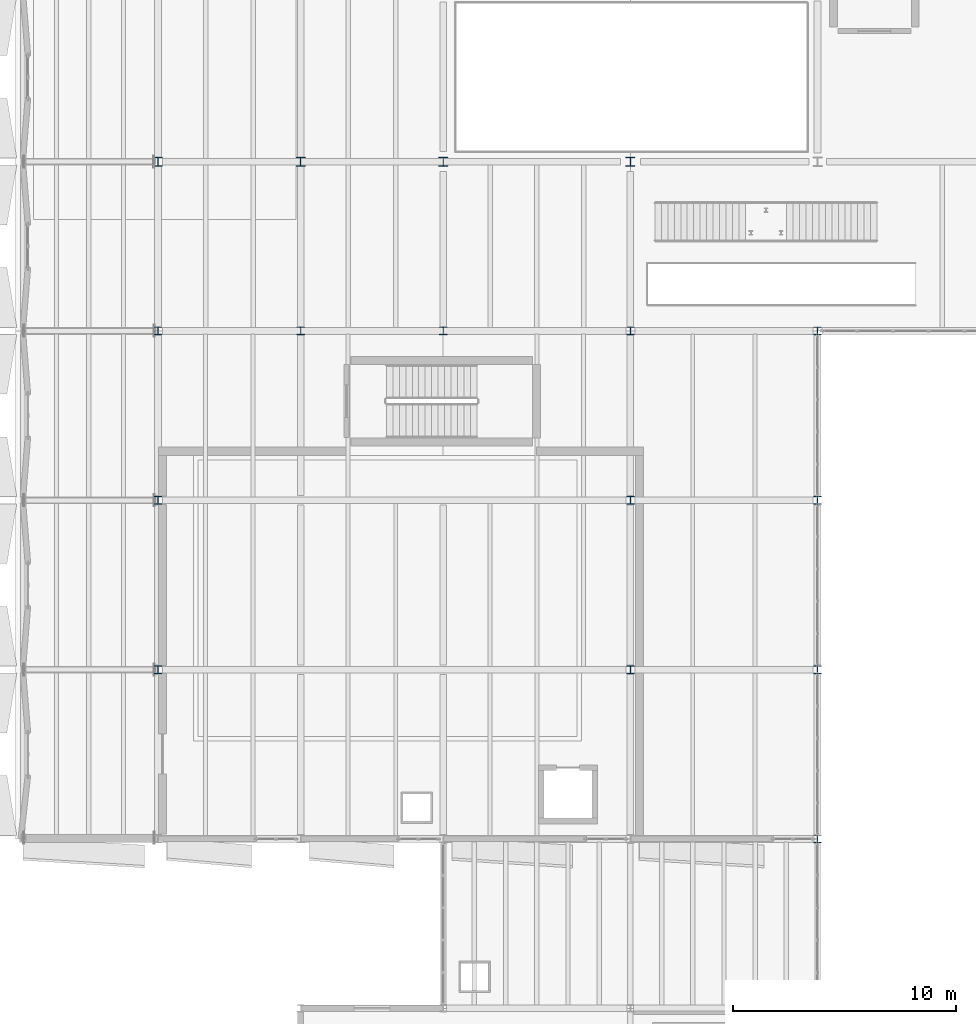
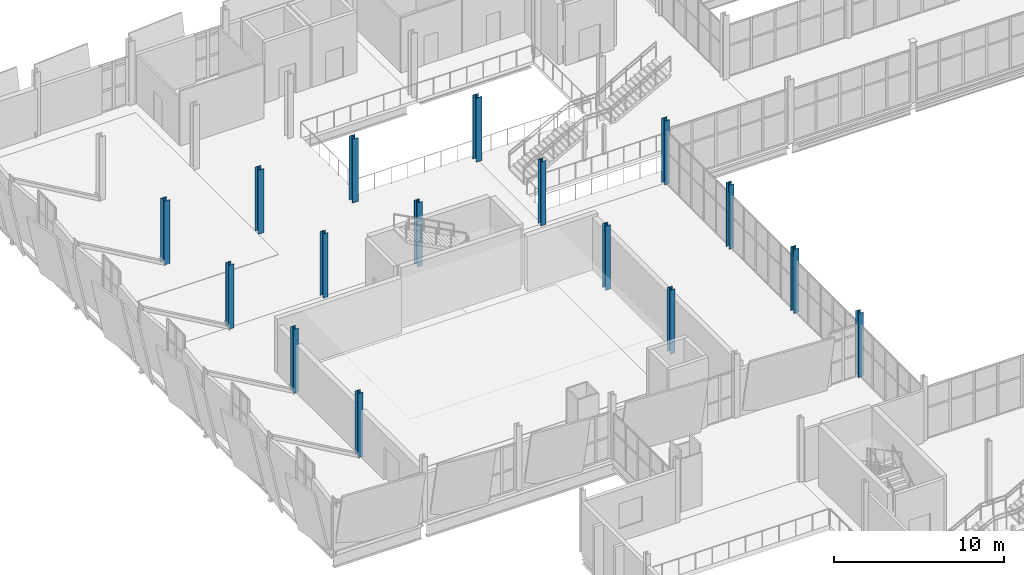
# One storey, part 3 of 172: 16 columns.
"""IFC4 building model written with IfcOpenShell, lengths in metres."""

from ifc_helpers import new_model, si_unit, direction, frame, origin, origin_2d, place, context, subcontext, project, spatial, i_section, extrude, material, material_profile, profile_set, type_object, element, save


model = new_model("IFC4")

# Units and contexts
model_context = context("Model", 3, precision=1e-05, world=origin(), true_north=direction((0.0, 1.0)))
body_context = subcontext(model_context, "Body", "Model", "MODEL_VIEW")
ifc_project = project(units=[si_unit("LENGTHUNIT", "METRE"), si_unit("AREAUNIT", "SQUARE_METRE"), si_unit("VOLUMEUNIT", "CUBIC_METRE"), si_unit("PLANEANGLEUNIT", "RADIAN"), si_unit("MASSUNIT", "GRAM", prefix="KILO")], contexts=[model_context])

# Site, building, storey
site_placement = place(None, origin())
site = spatial("IfcSite", under=ifc_project, at=site_placement, CompositionType="ELEMENT")
building_placement = place(site_placement, origin())
building = spatial("IfcBuilding", under=site, at=building_placement, Name="Shengluoqiao Park Theatre", CompositionType="ELEMENT")
storey_placement = place(building_placement, frame((0.0, 0.0, 5.39990234375)))
storey = spatial("IfcBuildingStorey", under=building, at=storey_placement, Name="L01", CompositionType="ELEMENT", Elevation=5.39990234375)

# Columns
ifc_material = material(Name="Steel Q355", Category="steel")
ifc_material_profile_1 = material_profile(ifc_material, i_section(OverallWidth=0.35009765625, OverallDepth=0.35009765625, WebThickness=0.011962890625, FlangeThickness=0.01904296875, FilletRadius=0.01806640625, at=origin_2d()), Name="HW 350x350x12x19")
ifc_profile_set_1 = profile_set([ifc_material_profile_1], Name="Steel Q355")
column_type_1 = type_object("IfcColumnType", Name="STR-COL-C-HW350", PredefinedType="COLUMN", material=ifc_profile_set_1)
for number, where, z_axis, x_axis, name in (
    (1, (6.39990234375, 38.0, 0.0), (0.0, 0.0, 1.0), (1.0, 0.0, 0.0), "L01 Column 0006"),
    (2, (6.39990234375, 45.60009765625, 0.0), (0.0, 0.0, 1.0), (1.0, 0.0, 0.0), "L01 Column 0010"),
    (3, (6.39990234375, 53.199951171875, 0.0), (0.0, 0.0, 1.0), (1.0, 0.0, 0.0), "L01 Column 0014"),
    (4, (12.800048828125, 53.199951171875, 0.0), (0.0, 0.0, 1.0), (1.0, 0.0, 0.0), "L01 Column 0052"),
    (5, (19.199951171875, 53.199951171875, 0.0), (0.0, 0.0, 1.0), (1.0, 0.0, 0.0), "L01 Column 0084"),
    (6, (27.60009765625, 38.0, 0.0), (0.0, 0.0, 1.0), (1.0, 0.0, 0.0), "L01 Column 0120"),
    (7, (27.60009765625, 45.60009765625, 0.0), (0.0, 0.0, 1.0), (1.0, 0.0, 0.0), "L01 Column 0124"),
    (8, (27.60009765625, 53.199951171875, 0.0), (0.0, 0.0, 1.0), (1.0, 0.0, 0.0), "L01 Column 0128"),
    (9, (36.0, 30.39990234375, 0.0), (0.0, 0.0, 1.0), (1.0, 0.0, 0.0), "L01 Column 0160"),
    (10, (36.0, 38.0, 0.0), (0.0, 0.0, 1.0), (1.0, 0.0, 0.0), "L01 Column 0164"),
    (11, (36.0, 45.60009765625, 0.0), (0.0, 0.0, 1.0), (1.0, 0.0, 0.0), "L01 Column 0168"),
    (12, (36.0, 53.199951171875, 0.0), (0.0, 0.0, 1.0), (1.0, 0.0, 0.0), "L01 Column 0172"),
):
    element("IfcColumn", number, at=place(storey_placement, frame(where, z_axis=z_axis, x_axis=x_axis)), inside=storey, type_object=column_type_1, Name=name, PredefinedType="COLUMN", context=body_context, shape_type="SweptSolid", body=[
        extrude(i_section(OverallWidth=0.35009765625, OverallDepth=0.35009765625, WebThickness=0.011962890625, FlangeThickness=0.01904296875, FilletRadius=0.01806640625, at=origin_2d()), origin(), (0.0, 0.0, 1.0), 4.60009765625),
    ])
ifc_material_profile_2 = material_profile(ifc_material, i_section(OverallWidth=0.39990234375, OverallDepth=0.39990234375, WebThickness=0.012939453125, FlangeThickness=0.02099609375, FilletRadius=0.02197265625, at=origin_2d()), Name="HW 400x400x13x21")
ifc_profile_set_2 = profile_set([ifc_material_profile_2], Name="Steel Q355")
column_type_2 = type_object("IfcColumnType", Name="STR-COL-C-HW400", PredefinedType="COLUMN", material=ifc_profile_set_2)
for number, where, z_axis, x_axis, name in (
    (13, (6.39990234375, 60.800048828125, 0.0), (0.0, 0.0, 1.0), (1.0, 0.0, 0.0), "L01 Column 0018"),
    (14, (12.800048828125, 60.800048828125, 0.0), (0.0, 0.0, 1.0), (1.0, 0.0, 0.0), "L01 Column 0056"),
    (15, (19.199951171875, 60.800048828125, 0.0), (0.0, 0.0, 1.0), (1.0, 0.0, 0.0), "L01 Column 0088"),
    (16, (27.60009765625, 60.800048828125, 0.0), (0.0, 0.0, 1.0), (1.0, 0.0, 0.0), "L01 Column 0132"),
):
    element("IfcColumn", number, at=place(storey_placement, frame(where, z_axis=z_axis, x_axis=x_axis)), inside=storey, type_object=column_type_2, Name=name, PredefinedType="COLUMN", context=body_context, shape_type="SweptSolid", body=[
        extrude(i_section(OverallWidth=0.39990234375, OverallDepth=0.39990234375, WebThickness=0.012939453125, FlangeThickness=0.02099609375, FilletRadius=0.02197265625, at=origin_2d()), origin(), (0.0, 0.0, 1.0), 4.60009765625),
    ])

save(model, "model.ifc")
